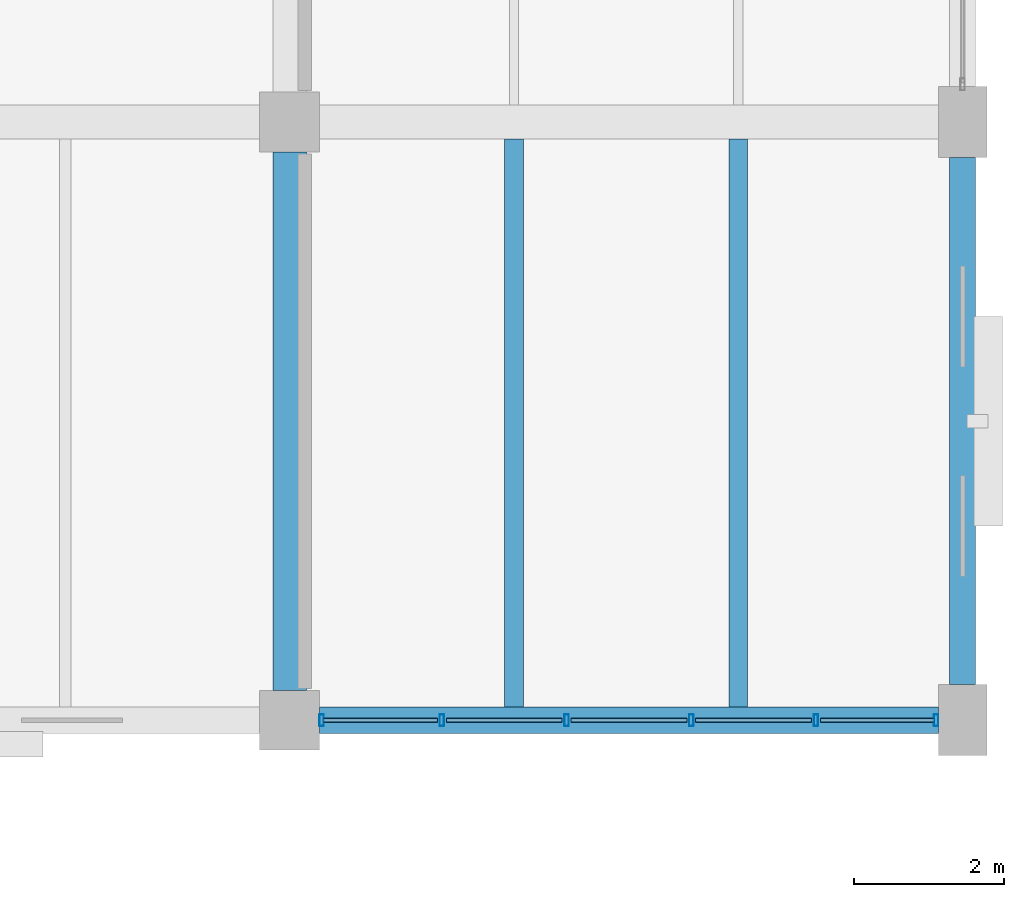
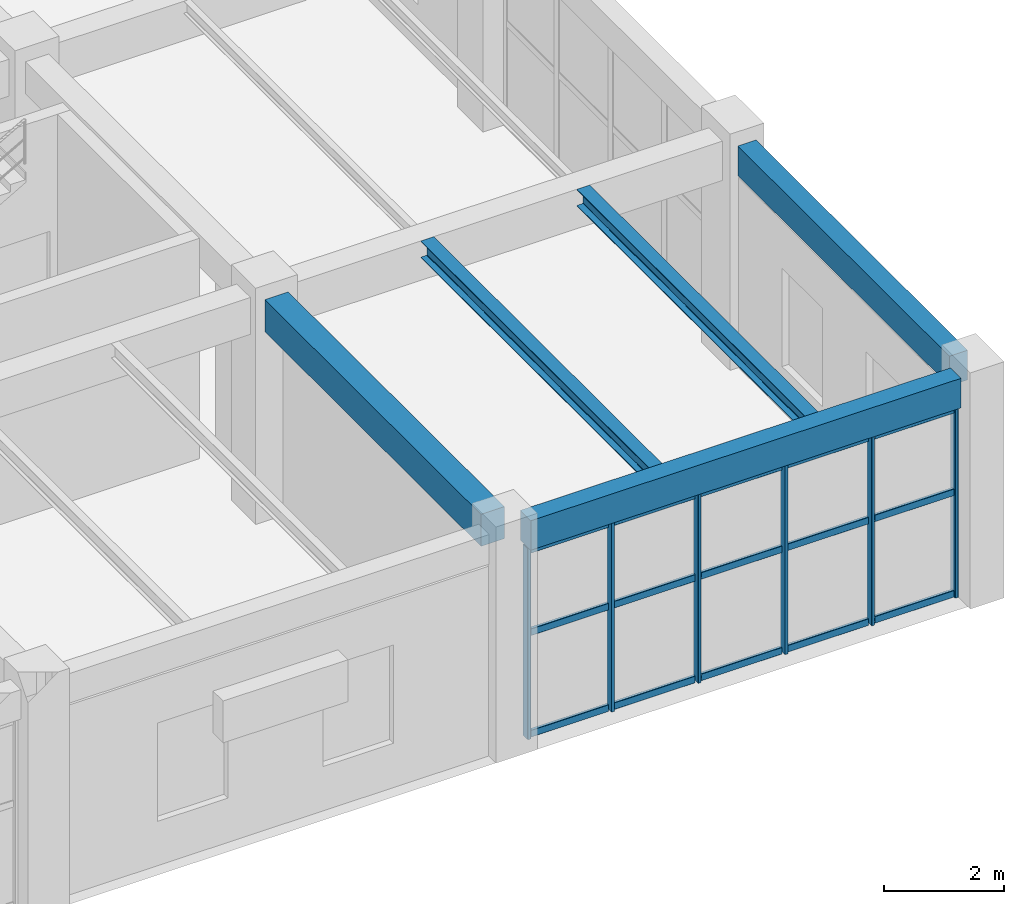
# One storey, part 117 of 178: 21 members, 5 beams, 1 element without a shape of its own.
"""IFC4 building model written with IfcOpenShell, lengths in metres."""

import ifcopenshell
import ifcopenshell.guid

model = None  # the IFC model being written
_history = None  # IfcOwnerHistory: only IFC2X3 demands one
_inside = {}  # id of a spatial element -> (the spatial element, [elements in it])
_under = {}  # id of a project, library or spatial element -> (it, [spatial elements below it])
_declared = {}  # id of a project -> (the project, [libraries it declares])
_typed = {}  # id of a type object -> (the type object, [elements of that type])
_made_of = {}  # id of a material, layer set ... -> (it, [elements and type objects made of it])


def new_model(schema):
    """Start an empty IFC model of exactly this schema.

    Asked for "IFC4X3", IfcOpenShell would pick the latest addendum, in which some entities
    have other attributes; the version numbers below select the first issue.
    IFC2X3 requires an IfcOwnerHistory on every rooted entity: one is made here for all.
    """
    global model, _history
    if schema == "IFC4X3":
        model = ifcopenshell.file(schema_version=(4, 3, 0, 0))
    else:
        model = ifcopenshell.file(schema=schema)
    _inside.clear()
    _under.clear()
    _declared.clear()
    _typed.clear()
    _made_of.clear()
    _history = None
    if model.schema == "IFC2X3":
        org = make("IfcOrganization", Name="unknown")
        user = make(
            "IfcPersonAndOrganization",
            ThePerson=make("IfcPerson", FamilyName="unknown"),
            TheOrganization=org,
        )
        app = make(
            "IfcApplication",
            ApplicationDeveloper=org,
            Version="unknown",
            ApplicationFullName="unknown",
            ApplicationIdentifier="unknown",
        )
        _history = make(
            "IfcOwnerHistory",
            OwningUser=user,
            OwningApplication=app,
            ChangeAction="ADDED",
            CreationDate=0,
        )
    return model


def make(cls, **values):
    """One entity of the class cls with the attributes given. An attribute that is None is left unset."""
    return model.create_entity(
        cls, **{name: value for name, value in values.items() if value is not None}
    )


def rooted(cls, **values):
    """An entity with a GlobalId (a new one), such as an element, a storey or a relation."""
    return make(cls, GlobalId=ifcopenshell.guid.new(), OwnerHistory=_history, **values)


def si_unit(unit_type, name, prefix=None):
    """IfcSIUnit, for example si_unit("LENGTHUNIT", "METRE", prefix="MILLI")."""
    return make("IfcSIUnit", UnitType=unit_type, Prefix=prefix, Name=name)


def derived_unit(unit_type, elements):
    """IfcDerivedUnit: a product of units, each with its exponent."""
    return make(
        "IfcDerivedUnit",
        Elements=[
            make("IfcDerivedUnitElement", Unit=unit, Exponent=power)
            for unit, power in elements
        ],
        UnitType=unit_type,
    )


def assignment(units):
    """IfcUnitAssignment: the units of a project."""
    return None if units is None else make("IfcUnitAssignment", Units=units)


def point(xyz):
    """IfcCartesianPoint."""
    return None if xyz is None else make("IfcCartesianPoint", Coordinates=xyz)


def direction(xyz):
    """IfcDirection."""
    return None if xyz is None else make("IfcDirection", DirectionRatios=xyz)


def frame(location, z_axis=None, x_axis=None):
    """IfcAxis2Placement3D, a coordinate frame: its origin and axes. An axis left out is left unset."""
    return make(
        "IfcAxis2Placement3D",
        Location=point(location),
        Axis=direction(z_axis),
        RefDirection=direction(x_axis),
    )


def frame_2d(location, x_axis=None):
    """IfcAxis2Placement2D, a coordinate frame in the plane: its origin and x axis."""
    return make(
        "IfcAxis2Placement2D", Location=point(location), RefDirection=direction(x_axis)
    )


def origin():
    """The frame at (0, 0, 0) with its axes left unset."""
    return frame((0.0, 0.0, 0.0))


def origin_2d():
    """The frame at (0, 0) in the plane with its x axis left unset."""
    return frame_2d((0.0, 0.0))


def place(relative_to, where):
    """IfcLocalPlacement: puts the frame where relative to a parent placement (None: the world)."""
    return make(
        "IfcLocalPlacement", PlacementRelTo=relative_to, RelativePlacement=where
    )


def context(
    kind, dimensions, precision=None, world=None, true_north=None, identifier=None
):
    """IfcGeometricRepresentationContext, for example the 3D "Model" context."""
    return make(
        "IfcGeometricRepresentationContext",
        ContextIdentifier=identifier,
        ContextType=kind,
        CoordinateSpaceDimension=dimensions,
        Precision=precision,
        WorldCoordinateSystem=world,
        TrueNorth=true_north,
    )


def subcontext(parent, identifier, kind, view, scale=None):
    """IfcGeometricRepresentationSubContext, for example "Body" below "Model"."""
    return make(
        "IfcGeometricRepresentationSubContext",
        ContextIdentifier=identifier,
        ContextType=kind,
        ParentContext=parent,
        TargetScale=scale,
        TargetView=view,
    )


def project(units=None, contexts=None):
    """IfcProject with its units and contexts."""
    return rooted(
        "IfcProject",
        Name="project",
        RepresentationContexts=contexts,
        UnitsInContext=assignment(units),
    )


def spatial(cls, under=None, at=None, **own):
    """A site, building, storey or space (cls), placed at a placement, below another one or the project."""
    s = rooted(cls, ObjectPlacement=at, **own)
    if under is not None:
        _under.setdefault(under.id(), (under, []))[1].append(s)
    return s


def profile(cls, at=None, kind="AREA", **sizes):
    """A parametric profile (cls). Its sizes go by their IFC names, for example OverallWidth=200.0."""
    return make(cls, ProfileType=kind, Position=at, **sizes)


def rectangle(**sizes):
    """IfcRectangleProfileDef."""
    return profile("IfcRectangleProfileDef", **sizes)


def hollow_rectangle(**sizes):
    """IfcRectangleHollowProfileDef."""
    return profile("IfcRectangleHollowProfileDef", **sizes)


def i_section(**sizes):
    """IfcIShapeProfileDef."""
    return profile("IfcIShapeProfileDef", **sizes)


def extrude(swept, where, along, depth):
    """IfcExtrudedAreaSolid: the profile swept, set in the frame where, extruded along a direction by depth."""
    return make(
        "IfcExtrudedAreaSolid",
        SweptArea=swept,
        Position=where,
        ExtrudedDirection=direction(along),
        Depth=depth,
    )


def shape(context_of_items, identifier, shape_type, items):
    """IfcShapeRepresentation: the items that make up one representation, for example the "Body"."""
    return make(
        "IfcShapeRepresentation",
        ContextOfItems=context_of_items,
        RepresentationIdentifier=identifier,
        RepresentationType=shape_type,
        Items=items,
    )


def material(Name=None, Category=None):
    """IfcMaterial."""
    return make("IfcMaterial", Name=Name, Category=Category)


def material_profile(
    of_material, cross_section, Name=None, Category=None, Priority=None
):
    """IfcMaterialProfile: a cross section and its material."""
    return make(
        "IfcMaterialProfile",
        Name=Name,
        Material=of_material,
        Profile=cross_section,
        Priority=Priority,
        Category=Category,
    )


def profile_set(profiles, Name=None, composite=None):
    """IfcMaterialProfileSet."""
    return make(
        "IfcMaterialProfileSet",
        Name=Name,
        MaterialProfiles=profiles,
        CompositeProfile=composite,
    )


def made_of(thing, what):
    """Note that an element or type object is made of a material, layer set ...; save() writes the relation."""
    if what is not None:
        _made_of.setdefault(what.id(), (what, []))[1].append(thing)
    return thing


def type_object(cls, material=None, **own):
    """A type object (cls), such as IfcWallType, which elements share."""
    return made_of(rooted(cls, **own), material)


def element(
    cls,
    number,
    at=None,
    inside=None,
    cuts=None,
    type_object=None,
    material=None,
    context=None,
    identifier="Body",
    shape_type=None,
    held_by="IfcProductDefinitionShape",
    body=None,
    shapes=None,
    **own,
):
    """One element of the class cls, such as IfcWall. Its Tag is "e" and its number.

    at: its placement. inside: the storey or other place that contains it. cuts: it is an
    opening in that element (IfcRelVoidsElement). A single representation is given by context,
    identifier, shape_type and body (its items); several are given by shapes. held_by: the class
    of the entity that holds the representations. save() writes the other relations.
    """
    e = rooted(cls, Tag="e%d" % number, ObjectPlacement=at, **own)
    if body is not None:
        shapes = [shape(context, identifier, shape_type, body)]
    if shapes is not None:
        e.Representation = make(held_by, Representations=shapes)
    if inside is not None:
        _inside.setdefault(inside.id(), (inside, []))[1].append(e)
    if cuts is not None:
        rooted(
            "IfcRelVoidsElement", RelatingBuildingElement=cuts, RelatedOpeningElement=e
        )
    if type_object is not None:
        _typed.setdefault(type_object.id(), (type_object, []))[1].append(e)
    return made_of(e, material)


def aggregate(whole, parts):
    """IfcRelAggregates: a whole, such as a stair, and the parts it consists of."""
    return rooted("IfcRelAggregates", RelatingObject=whole, RelatedObjects=parts)


def save(model, path):
    """Write the relations noted so far, then the file.

    IfcRelAggregates (storeys below a building ...), IfcRelContainedInSpatialStructure (elements
    in a storey), IfcRelDefinesByType, IfcRelAssociatesMaterial and IfcRelDeclares: one each for
    every whole, place, type object, material and project.
    """
    for whole, parts in _under.values():
        aggregate(whole, parts)
    for where, things in _inside.values():
        rooted(
            "IfcRelContainedInSpatialStructure",
            RelatedElements=things,
            RelatingStructure=where,
        )
    for kind, things in _typed.values():
        rooted("IfcRelDefinesByType", RelatedObjects=things, RelatingType=kind)
    for what, things in _made_of.values():
        rooted("IfcRelAssociatesMaterial", RelatedObjects=things, RelatingMaterial=what)
    for by, libraries in _declared.values():
        rooted("IfcRelDeclares", RelatingContext=by, RelatedDefinitions=libraries)
    model.write(path)


model = new_model("IFC4")

# Units and contexts
model_context = context("Model", 3, precision=1e-05, world=origin(), true_north=direction((0.0, 1.0)))
body_context = subcontext(model_context, "Body", "Model", "MODEL_VIEW")
ifc_project = project(units=[si_unit("LENGTHUNIT", "METRE"), si_unit("AREAUNIT", "SQUARE_METRE"), si_unit("VOLUMEUNIT", "CUBIC_METRE"), si_unit("PLANEANGLEUNIT", "RADIAN"), si_unit("MASSUNIT", "GRAM", prefix="KILO"), derived_unit("THERMALTRANSMITTANCEUNIT", [(si_unit("MASSUNIT", "GRAM", prefix="KILO"), 1), (si_unit("TIMEUNIT", "SECOND"), -3), (si_unit("THERMODYNAMICTEMPERATUREUNIT", "KELVIN"), -1)])], contexts=[model_context])

# Site, building, storey
site_placement = place(None, origin())
site = spatial("IfcSite", under=ifc_project, at=site_placement, CompositionType="ELEMENT")
building_placement = place(site_placement, origin())
building = spatial("IfcBuilding", under=site, at=building_placement, Name="Zhenchuan Archway Interchange", CompositionType="ELEMENT")
storey_placement = place(building_placement, frame((0.0, 0.0, 5.39990234375)))
storey = spatial("IfcBuildingStorey", under=building, at=storey_placement, Name="L01", CompositionType="ELEMENT", Elevation=5.39990234375)

# Beam
ifc_material_1 = material(Name="Concrete C40", Category="concrete")
ifc_material_profile_1 = material_profile(ifc_material_1, rectangle(XDim=0.449951171875, YDim=0.64990234375, at=origin_2d()), Name="RC 450x650")
ifc_profile_set_1 = profile_set([ifc_material_profile_1], Name="Concrete C40")
beam_type_1 = type_object("IfcBeamType", Name="BM_RC_450x650", PredefinedType="BEAM", material=ifc_profile_set_1)
beam_1_placement = place(storey_placement, frame((162.0, 8.39990234375, 4.18505859375), z_axis=(0.0, 1.0, 0.0), x_axis=(-1.0, 0.0, 0.0)))
element("IfcBeam", 1, at=beam_1_placement, inside=storey, type_object=beam_type_1, Name="Beam 19:B-C (L01)", PredefinedType="BEAM", context=body_context, shape_type="SweptSolid", body=[
    extrude(rectangle(XDim=0.449951171875, YDim=0.64990234375, at=origin_2d()), origin(), (0.0, 0.0, 1.0), 7.2001953125),
])

# Curtain wall, members
ifc_material_2 = material(Name="Anodised Aluminium", Category="aluminium")
curtain_wall_type = type_object("IfcCurtainWallType", Name="CW_UNIT_2", PredefinedType="NOTDEFINED", material=ifc_material_2)
curtain_wall_placement = place(storey_placement, origin())
curtain_wall = element("IfcCurtainWall", 2, at=curtain_wall_placement, inside=storey, type_object=curtain_wall_type, Name="Unitised curtain wall CW:L01:069", PredefinedType="NOTDEFINED")
ifc_material_profile_2 = material_profile(ifc_material_2, hollow_rectangle(XDim=0.06005859375, YDim=0.159912109375, WallThickness=0.00390625, InnerFilletRadius=0.00390625, OuterFilletRadius=0.008056640625, at=origin_2d()), Name="ALU 160x60x4")
ifc_profile_set_2 = profile_set([ifc_material_profile_2], Name="Anodised Aluminium")
member_type_1 = type_object("IfcMemberType", Name="CW_MUL_150", PredefinedType="MULLION", material=ifc_profile_set_2)
member_1_placement = place(storey_placement, frame((170.64697265625, 8.0, 0.0), z_axis=(0.0, 0.0, 1.0), x_axis=(1.0, 0.0, 0.0)))
member_1 = element("IfcMember", 3, at=member_1_placement, type_object=member_type_1, Name="CW:L01:069 mullion 0", PredefinedType="MULLION", context=body_context, shape_type="SweptSolid", body=[
    extrude(hollow_rectangle(XDim=0.06005859375, YDim=0.159912109375, WallThickness=0.00390625, InnerFilletRadius=0.00390625, OuterFilletRadius=0.008056640625, at=origin_2d()), origin(), (0.0, 0.0, 1.0), 3.880126953125),
])
member_2_placement = place(storey_placement, frame((169.039306640625, 8.0, 0.0), z_axis=(0.0, 0.0, 1.0), x_axis=(1.0, 0.0, 0.0)))
member_2 = element("IfcMember", 4, at=member_2_placement, type_object=member_type_1, Name="CW:L01:069 mullion 1", PredefinedType="MULLION", context=body_context, shape_type="SweptSolid", body=[
    extrude(hollow_rectangle(XDim=0.06005859375, YDim=0.159912109375, WallThickness=0.00390625, InnerFilletRadius=0.00390625, OuterFilletRadius=0.008056640625, at=origin_2d()), origin(), (0.0, 0.0, 1.0), 3.880126953125),
])
member_3_placement = place(storey_placement, frame((167.371337890625, 8.0, 0.0), z_axis=(0.0, 0.0, 1.0), x_axis=(1.0, 0.0, 0.0)))
member_3 = element("IfcMember", 5, at=member_3_placement, type_object=member_type_1, Name="CW:L01:069 mullion 2", PredefinedType="MULLION", context=body_context, shape_type="SweptSolid", body=[
    extrude(hollow_rectangle(XDim=0.06005859375, YDim=0.159912109375, WallThickness=0.00390625, InnerFilletRadius=0.00390625, OuterFilletRadius=0.008056640625, at=origin_2d()), origin(), (0.0, 0.0, 1.0), 3.880126953125),
])
member_4_placement = place(storey_placement, frame((165.70361328125, 8.0, 0.0), z_axis=(0.0, 0.0, 1.0), x_axis=(1.0, 0.0, 0.0)))
member_4 = element("IfcMember", 6, at=member_4_placement, type_object=member_type_1, Name="CW:L01:069 mullion 3", PredefinedType="MULLION", context=body_context, shape_type="SweptSolid", body=[
    extrude(hollow_rectangle(XDim=0.06005859375, YDim=0.159912109375, WallThickness=0.00390625, InnerFilletRadius=0.00390625, OuterFilletRadius=0.008056640625, at=origin_2d()), origin(), (0.0, 0.0, 1.0), 3.880126953125),
])
member_5_placement = place(storey_placement, frame((164.035888671875, 8.0, 0.0), z_axis=(0.0, 0.0, 1.0), x_axis=(1.0, 0.0, 0.0)))
member_5 = element("IfcMember", 7, at=member_5_placement, type_object=member_type_1, Name="CW:L01:069 mullion 4", PredefinedType="MULLION", context=body_context, shape_type="SweptSolid", body=[
    extrude(hollow_rectangle(XDim=0.06005859375, YDim=0.159912109375, WallThickness=0.00390625, InnerFilletRadius=0.00390625, OuterFilletRadius=0.008056640625, at=origin_2d()), origin(), (0.0, 0.0, 1.0), 3.880126953125),
])
member_6_placement = place(storey_placement, frame((162.427978515625, 8.0, 0.0), z_axis=(0.0, 0.0, 1.0), x_axis=(1.0, 0.0, 0.0)))
member_6 = element("IfcMember", 8, at=member_6_placement, type_object=member_type_1, Name="CW:L01:069 mullion 5", PredefinedType="MULLION", context=body_context, shape_type="SweptSolid", body=[
    extrude(hollow_rectangle(XDim=0.06005859375, YDim=0.159912109375, WallThickness=0.00390625, InnerFilletRadius=0.00390625, OuterFilletRadius=0.008056640625, at=origin_2d()), origin(), (0.0, 0.0, 1.0), 3.880126953125),
])
ifc_material_profile_3 = material_profile(ifc_material_2, hollow_rectangle(XDim=0.06005859375, YDim=0.139892578125, WallThickness=0.00341796875, InnerFilletRadius=0.00341796875, OuterFilletRadius=0.007080078125, at=origin_2d()), Name="ALU 140x60x3.5")
ifc_profile_set_3 = profile_set([ifc_material_profile_3], Name="Anodised Aluminium")
member_type_2 = type_object("IfcMemberType", Name="CW_TRN_140", PredefinedType="USERDEFINED", material=ifc_profile_set_3)
member_7_placement = place(storey_placement, frame((170.626953125, 8.0, 0.06005859375), z_axis=(-1.0, 0.0, 0.0), x_axis=(0.0, -1.0, 0.0)))
member_7 = element("IfcMember", 9, at=member_7_placement, type_object=member_type_2, Name="CW:L01:069 transom 0-1", ObjectType="TRANSOM", PredefinedType="USERDEFINED", context=body_context, shape_type="SweptSolid", body=[
    extrude(hollow_rectangle(XDim=0.06005859375, YDim=0.139892578125, WallThickness=0.00341796875, InnerFilletRadius=0.00341796875, OuterFilletRadius=0.007080078125, at=origin_2d()), origin(), (0.0, 0.0, 1.0), 1.52783203125),
])
member_8_placement = place(storey_placement, frame((170.626953125, 8.0, 2.123046875), z_axis=(-1.0, 0.0, 0.0), x_axis=(0.0, -1.0, 0.0)))
member_8 = element("IfcMember", 10, at=member_8_placement, type_object=member_type_2, Name="CW:L01:069 transom 0-2", ObjectType="TRANSOM", PredefinedType="USERDEFINED", context=body_context, shape_type="SweptSolid", body=[
    extrude(hollow_rectangle(XDim=0.06005859375, YDim=0.139892578125, WallThickness=0.00341796875, InnerFilletRadius=0.00341796875, OuterFilletRadius=0.007080078125, at=origin_2d()), origin(), (0.0, 0.0, 1.0), 1.52783203125),
])
member_9_placement = place(storey_placement, frame((170.626953125, 8.0, 3.800048828125), z_axis=(-1.0, 0.0, 0.0), x_axis=(0.0, -1.0, 0.0)))
member_9 = element("IfcMember", 11, at=member_9_placement, type_object=member_type_2, Name="CW:L01:069 transom 0-3", ObjectType="TRANSOM", PredefinedType="USERDEFINED", context=body_context, shape_type="SweptSolid", body=[
    extrude(hollow_rectangle(XDim=0.06005859375, YDim=0.139892578125, WallThickness=0.00341796875, InnerFilletRadius=0.00341796875, OuterFilletRadius=0.007080078125, at=origin_2d()), origin(), (0.0, 0.0, 1.0), 1.52783203125),
])
member_10_placement = place(storey_placement, frame((168.979248046875, 8.0, 0.06005859375), z_axis=(-1.0, 0.0, 0.0), x_axis=(0.0, -1.0, 0.0)))
member_10 = element("IfcMember", 12, at=member_10_placement, type_object=member_type_2, Name="CW:L01:069 transom 1-1", ObjectType="TRANSOM", PredefinedType="USERDEFINED", context=body_context, shape_type="SweptSolid", body=[
    extrude(hollow_rectangle(XDim=0.06005859375, YDim=0.139892578125, WallThickness=0.00341796875, InnerFilletRadius=0.00341796875, OuterFilletRadius=0.007080078125, at=origin_2d()), origin(), (0.0, 0.0, 1.0), 1.5478515625),
])
member_11_placement = place(storey_placement, frame((168.979248046875, 8.0, 2.123046875), z_axis=(-1.0, 0.0, 0.0), x_axis=(0.0, -1.0, 0.0)))
member_11 = element("IfcMember", 13, at=member_11_placement, type_object=member_type_2, Name="CW:L01:069 transom 1-2", ObjectType="TRANSOM", PredefinedType="USERDEFINED", context=body_context, shape_type="SweptSolid", body=[
    extrude(hollow_rectangle(XDim=0.06005859375, YDim=0.139892578125, WallThickness=0.00341796875, InnerFilletRadius=0.00341796875, OuterFilletRadius=0.007080078125, at=origin_2d()), origin(), (0.0, 0.0, 1.0), 1.5478515625),
])
member_12_placement = place(storey_placement, frame((168.979248046875, 8.0, 3.800048828125), z_axis=(-1.0, 0.0, 0.0), x_axis=(0.0, -1.0, 0.0)))
member_12 = element("IfcMember", 14, at=member_12_placement, type_object=member_type_2, Name="CW:L01:069 transom 1-3", ObjectType="TRANSOM", PredefinedType="USERDEFINED", context=body_context, shape_type="SweptSolid", body=[
    extrude(hollow_rectangle(XDim=0.06005859375, YDim=0.139892578125, WallThickness=0.00341796875, InnerFilletRadius=0.00341796875, OuterFilletRadius=0.007080078125, at=origin_2d()), origin(), (0.0, 0.0, 1.0), 1.5478515625),
])
member_13_placement = place(storey_placement, frame((167.311279296875, 8.0, 0.06005859375), z_axis=(-1.0, 0.0, 0.0), x_axis=(0.0, -1.0, 0.0)))
member_13 = element("IfcMember", 15, at=member_13_placement, type_object=member_type_2, Name="CW:L01:069 transom 2-1", ObjectType="TRANSOM", PredefinedType="USERDEFINED", context=body_context, shape_type="SweptSolid", body=[
    extrude(hollow_rectangle(XDim=0.06005859375, YDim=0.139892578125, WallThickness=0.00341796875, InnerFilletRadius=0.00341796875, OuterFilletRadius=0.007080078125, at=origin_2d()), origin(), (0.0, 0.0, 1.0), 1.547607421875),
])
member_14_placement = place(storey_placement, frame((167.311279296875, 8.0, 2.123046875), z_axis=(-1.0, 0.0, 0.0), x_axis=(0.0, -1.0, 0.0)))
member_14 = element("IfcMember", 16, at=member_14_placement, type_object=member_type_2, Name="CW:L01:069 transom 2-2", ObjectType="TRANSOM", PredefinedType="USERDEFINED", context=body_context, shape_type="SweptSolid", body=[
    extrude(hollow_rectangle(XDim=0.06005859375, YDim=0.139892578125, WallThickness=0.00341796875, InnerFilletRadius=0.00341796875, OuterFilletRadius=0.007080078125, at=origin_2d()), origin(), (0.0, 0.0, 1.0), 1.547607421875),
])
member_15_placement = place(storey_placement, frame((167.311279296875, 8.0, 3.800048828125), z_axis=(-1.0, 0.0, 0.0), x_axis=(0.0, -1.0, 0.0)))
member_15 = element("IfcMember", 17, at=member_15_placement, type_object=member_type_2, Name="CW:L01:069 transom 2-3", ObjectType="TRANSOM", PredefinedType="USERDEFINED", context=body_context, shape_type="SweptSolid", body=[
    extrude(hollow_rectangle(XDim=0.06005859375, YDim=0.139892578125, WallThickness=0.00341796875, InnerFilletRadius=0.00341796875, OuterFilletRadius=0.007080078125, at=origin_2d()), origin(), (0.0, 0.0, 1.0), 1.547607421875),
])
member_16_placement = place(storey_placement, frame((165.6435546875, 8.0, 0.06005859375), z_axis=(-1.0, 0.0, 0.0), x_axis=(0.0, -1.0, 0.0)))
member_16 = element("IfcMember", 18, at=member_16_placement, type_object=member_type_2, Name="CW:L01:069 transom 3-1", ObjectType="TRANSOM", PredefinedType="USERDEFINED", context=body_context, shape_type="SweptSolid", body=[
    extrude(hollow_rectangle(XDim=0.06005859375, YDim=0.139892578125, WallThickness=0.00341796875, InnerFilletRadius=0.00341796875, OuterFilletRadius=0.007080078125, at=origin_2d()), origin(), (0.0, 0.0, 1.0), 1.5478515625),
])
member_17_placement = place(storey_placement, frame((165.6435546875, 8.0, 2.123046875), z_axis=(-1.0, 0.0, 0.0), x_axis=(0.0, -1.0, 0.0)))
member_17 = element("IfcMember", 19, at=member_17_placement, type_object=member_type_2, Name="CW:L01:069 transom 3-2", ObjectType="TRANSOM", PredefinedType="USERDEFINED", context=body_context, shape_type="SweptSolid", body=[
    extrude(hollow_rectangle(XDim=0.06005859375, YDim=0.139892578125, WallThickness=0.00341796875, InnerFilletRadius=0.00341796875, OuterFilletRadius=0.007080078125, at=origin_2d()), origin(), (0.0, 0.0, 1.0), 1.5478515625),
])
member_18_placement = place(storey_placement, frame((165.6435546875, 8.0, 3.800048828125), z_axis=(-1.0, 0.0, 0.0), x_axis=(0.0, -1.0, 0.0)))
member_18 = element("IfcMember", 20, at=member_18_placement, type_object=member_type_2, Name="CW:L01:069 transom 3-3", ObjectType="TRANSOM", PredefinedType="USERDEFINED", context=body_context, shape_type="SweptSolid", body=[
    extrude(hollow_rectangle(XDim=0.06005859375, YDim=0.139892578125, WallThickness=0.00341796875, InnerFilletRadius=0.00341796875, OuterFilletRadius=0.007080078125, at=origin_2d()), origin(), (0.0, 0.0, 1.0), 1.5478515625),
])
member_19_placement = place(storey_placement, frame((163.975830078125, 8.0, 0.06005859375), z_axis=(-1.0, 0.0, 0.0), x_axis=(0.0, -1.0, 0.0)))
member_19 = element("IfcMember", 21, at=member_19_placement, type_object=member_type_2, Name="CW:L01:069 transom 4-1", ObjectType="TRANSOM", PredefinedType="USERDEFINED", context=body_context, shape_type="SweptSolid", body=[
    extrude(hollow_rectangle(XDim=0.06005859375, YDim=0.139892578125, WallThickness=0.00341796875, InnerFilletRadius=0.00341796875, OuterFilletRadius=0.007080078125, at=origin_2d()), origin(), (0.0, 0.0, 1.0), 1.52783203125),
])
member_20_placement = place(storey_placement, frame((163.975830078125, 8.0, 2.123046875), z_axis=(-1.0, 0.0, 0.0), x_axis=(0.0, -1.0, 0.0)))
member_20 = element("IfcMember", 22, at=member_20_placement, type_object=member_type_2, Name="CW:L01:069 transom 4-2", ObjectType="TRANSOM", PredefinedType="USERDEFINED", context=body_context, shape_type="SweptSolid", body=[
    extrude(hollow_rectangle(XDim=0.06005859375, YDim=0.139892578125, WallThickness=0.00341796875, InnerFilletRadius=0.00341796875, OuterFilletRadius=0.007080078125, at=origin_2d()), origin(), (0.0, 0.0, 1.0), 1.52783203125),
])
member_21_placement = place(storey_placement, frame((163.975830078125, 8.0, 3.800048828125), z_axis=(-1.0, 0.0, 0.0), x_axis=(0.0, -1.0, 0.0)))
member_21 = element("IfcMember", 23, at=member_21_placement, type_object=member_type_2, Name="CW:L01:069 transom 4-3", ObjectType="TRANSOM", PredefinedType="USERDEFINED", context=body_context, shape_type="SweptSolid", body=[
    extrude(hollow_rectangle(XDim=0.06005859375, YDim=0.139892578125, WallThickness=0.00341796875, InnerFilletRadius=0.00341796875, OuterFilletRadius=0.007080078125, at=origin_2d()), origin(), (0.0, 0.0, 1.0), 1.52783203125),
])
aggregate(curtain_wall, [member_1, member_2, member_3, member_4, member_5, member_6, member_7, member_8, member_9, member_10, member_11, member_12, member_13, member_14, member_15, member_16, member_17, member_18, member_19, member_20, member_21])

# Beams
ifc_material_3 = material(Name="Steel Q355", Category="steel")
ifc_material_profile_4 = material_profile(ifc_material_3, i_section(OverallWidth=0.25, OverallDepth=0.340087890625, WebThickness=0.009033203125, FlangeThickness=0.013916015625, FilletRadius=0.01806640625, at=origin_2d()), Name="HM 340x250")
ifc_profile_set_4 = profile_set([ifc_material_profile_4], Name="Steel Q355")
beam_type_2 = type_object("IfcBeamType", Name="JST_STL_HM340", PredefinedType="JOIST", material=ifc_profile_set_4)
for number, where, z_axis, x_axis, name in (
    (24, (165.0, 8.175048828125, 4.340087890625), (0.0, 1.0, 0.0), (-1.0, 0.0, 0.0), "Secondary joist 19-20/B-C #1 (L01)"),
    (25, (168.0, 8.175048828125, 4.340087890625), (0.0, 1.0, 0.0), (-1.0, 0.0, 0.0), "Secondary joist 19-20/B-C #2 (L01)"),
):
    element("IfcBeam", number, at=place(storey_placement, frame(where, z_axis=z_axis, x_axis=x_axis)), inside=storey, type_object=beam_type_2, Name=name, PredefinedType="JOIST", context=body_context, shape_type="SweptSolid", body=[
        extrude(i_section(OverallWidth=0.25, OverallDepth=0.340087890625, WebThickness=0.009033203125, FlangeThickness=0.013916015625, FilletRadius=0.01806640625, at=origin_2d()), origin(), (0.0, 0.0, 1.0), 7.599853515625),
    ])
ifc_material_profile_5 = material_profile(ifc_material_1, rectangle(XDim=0.35009765625, YDim=0.60009765625, at=origin_2d()), Name="RC 350x600")
ifc_profile_set_5 = profile_set([ifc_material_profile_5], Name="Concrete C40")
beam_type_3 = type_object("IfcBeamType", Name="SP_RC_350x600", PredefinedType="SPANDREL", material=ifc_profile_set_5)
beam_2_placement = place(storey_placement, frame((162.39990234375, 8.0, 4.210205078125), z_axis=(1.0, 0.0, 0.0), x_axis=(0.0, 1.0, 0.0)))
element("IfcBeam", 26, at=beam_2_placement, inside=storey, type_object=beam_type_3, Name="Beam B:19-20 (L01)", PredefinedType="SPANDREL", context=body_context, shape_type="SweptSolid", body=[
    extrude(rectangle(XDim=0.35009765625, YDim=0.60009765625, at=origin_2d()), origin(), (0.0, 0.0, 1.0), 8.275146484375),
])
beam_3_placement = place(storey_placement, frame((171.0, 8.47509765625, 4.210205078125), z_axis=(0.0, 1.0, 0.0), x_axis=(-1.0, 0.0, 0.0)))
element("IfcBeam", 27, at=beam_3_placement, inside=storey, type_object=beam_type_3, Name="Beam 20:B-C (L01)", PredefinedType="SPANDREL", context=body_context, shape_type="SweptSolid", body=[
    extrude(rectangle(XDim=0.35009765625, YDim=0.60009765625, at=origin_2d()), origin(), (0.0, 0.0, 1.0), 7.0498046875),
])

save(model, "model.ifc")
